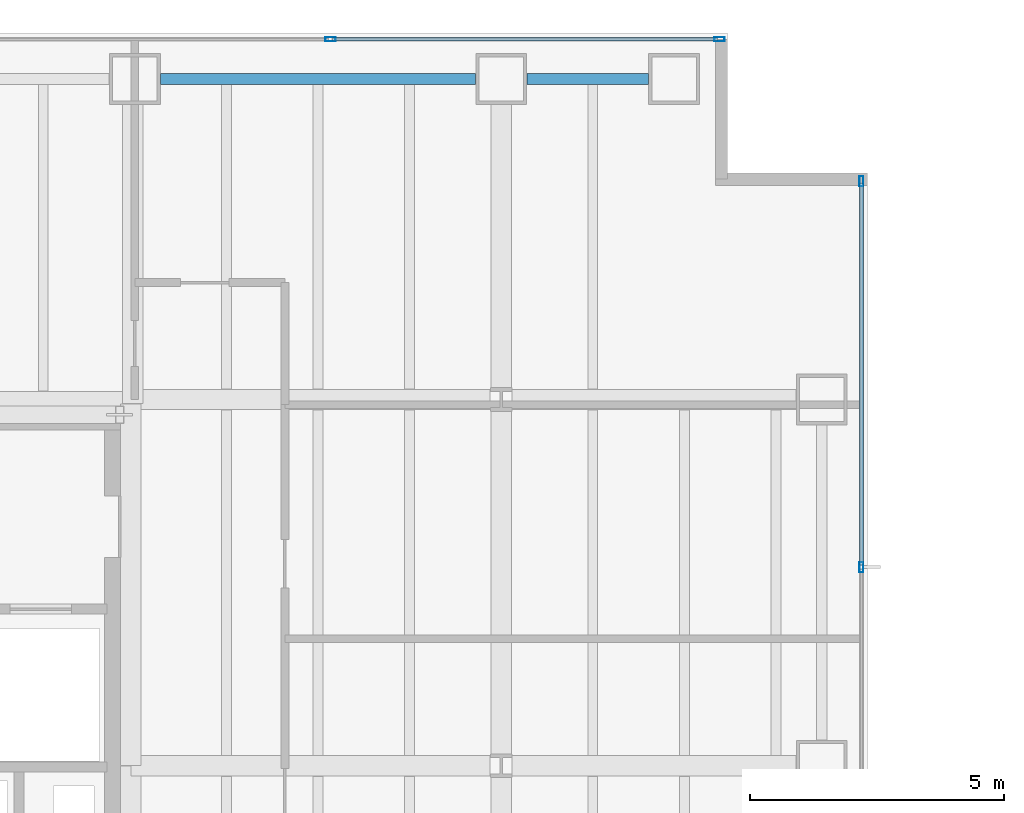
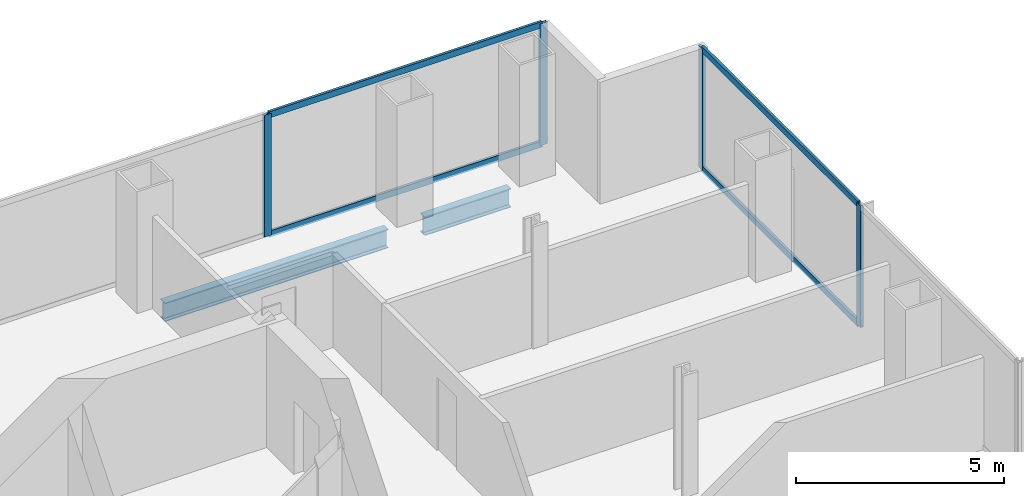
# One storey, part 18 of 24: 8 members, 2 beams, 2 elements without a shape of their own.
"""IFC4 building model written with IfcOpenShell, lengths in metres."""

from ifc_helpers import new_model, si_unit, direction, frame, origin, origin_2d, place, context, subcontext, project, spatial, hollow_rectangle, i_section, extrude, material, material_profile, profile_set, type_object, element, aggregate, save


model = new_model("IFC4")

# Units and contexts
model_context = context("Model", 3, precision=1e-05, world=origin(), true_north=direction((0.0, 1.0)))
body_context = subcontext(model_context, "Body", "Model", "MODEL_VIEW")
ifc_project = project(units=[si_unit("LENGTHUNIT", "METRE"), si_unit("AREAUNIT", "SQUARE_METRE"), si_unit("VOLUMEUNIT", "CUBIC_METRE"), si_unit("PLANEANGLEUNIT", "RADIAN"), si_unit("MASSUNIT", "GRAM", prefix="KILO")], contexts=[model_context])

# Site, building, storey
site_placement = place(None, origin())
site = spatial("IfcSite", under=ifc_project, at=site_placement, CompositionType="ELEMENT")
building_placement = place(site_placement, origin())
building = spatial("IfcBuilding", under=site, at=building_placement, Name="Cobrela Telecom Tower", CompositionType="ELEMENT")
storey_placement = place(building_placement, frame((0.0, 0.0, 69.64990234375)))
storey = spatial("IfcBuildingStorey", under=building, at=storey_placement, Name="L17", CompositionType="ELEMENT", Elevation=69.64990234375)

# Beams
ifc_material_1 = material(Name="Steel ASTM A992 Grade 50", Category="steel")
ifc_material_profile_1 = material_profile(ifc_material_1, i_section(OverallWidth=0.212890625, OverallDepth=0.549072265625, WebThickness=0.0146484375, FlangeThickness=0.023681640625, FilletRadius=0.013916015625, at=origin_2d()), Name="W21X93")
ifc_profile_set_1 = profile_set([ifc_material_profile_1], Name="Steel ASTM A992 Grade 50")
beam_type = type_object("IfcBeamType", Name="BM-SPAND-03", PredefinedType="SPANDREL", material=ifc_profile_set_1)
beam_1_placement = place(storey_placement, frame((14.905029296875, 42.300048828125, -0.554443359375), z_axis=(1.0, 0.0, 0.0), x_axis=(0.0, 1.0, 0.0)))
element("IfcBeam", 1, at=beam_1_placement, inside=storey, type_object=beam_type, Name="L17 Perimeter Spandrel X30", PredefinedType="SPANDREL", context=body_context, shape_type="SweptSolid", body=[
    extrude(i_section(OverallWidth=0.212890625, OverallDepth=0.549072265625, WebThickness=0.0146484375, FlangeThickness=0.023681640625, FilletRadius=0.013916015625, at=origin_2d()), origin(), (0.0, 0.0, 1.0), 6.18994140625),
])
beam_2_placement = place(storey_placement, frame((22.10498046875, 42.300048828125, -0.554443359375), z_axis=(1.0, 0.0, 0.0), x_axis=(0.0, 1.0, 0.0)))
element("IfcBeam", 2, at=beam_2_placement, inside=storey, type_object=beam_type, Name="L17 Perimeter Spandrel X31", PredefinedType="SPANDREL", context=body_context, shape_type="SweptSolid", body=[
    extrude(i_section(OverallWidth=0.212890625, OverallDepth=0.549072265625, WebThickness=0.0146484375, FlangeThickness=0.023681640625, FilletRadius=0.013916015625, at=origin_2d()), origin(), (0.0, 0.0, 1.0), 2.39013671875),
])

# Curtain wall, members
ifc_material_2 = material(Name="Anodized Bronze Aluminium 6063-T6", Category="aluminium")
curtain_wall_type = type_object("IfcCurtainWallType", Name="CW-SYS-DATA", PredefinedType="USERDEFINED", material=ifc_material_2)
curtain_wall_1_placement = place(storey_placement, origin())
curtain_wall_1 = element("IfcCurtainWall", 3, at=curtain_wall_1_placement, inside=storey, type_object=curtain_wall_type, Name="L17 Unitised Bronze Curtain Wall 07", ObjectType="UNITISED CURTAIN WALL", PredefinedType="USERDEFINED")
ifc_material_profile_2 = material_profile(ifc_material_2, hollow_rectangle(XDim=0.080078125, YDim=0.199951171875, WallThickness=0.00390625, at=origin_2d()), Name="ALU 80x200x4")
ifc_profile_set_2 = profile_set([ifc_material_profile_2], Name="Anodized Bronze Aluminium 6063-T6")
member_type_1 = type_object("IfcMemberType", Name="CW-SYS-DATA-MUL", PredefinedType="MULLION", material=ifc_profile_set_2)
member_1_placement = place(storey_placement, frame((18.243408203125, 43.080078125, 0.0), z_axis=(0.0, 0.0, 1.0), x_axis=(0.0, 1.0, 0.0)))
member_1 = element("IfcMember", 4, at=member_1_placement, type_object=member_type_1, Name="CW-DATA mullion 3", PredefinedType="MULLION", context=body_context, shape_type="SweptSolid", body=[
    extrude(hollow_rectangle(XDim=0.080078125, YDim=0.199951171875, WallThickness=0.00390625, at=origin_2d()), origin(), (0.0, 0.0, 1.0), 3.570068359375),
])
member_2_placement = place(storey_placement, frame((25.889892578125, 43.080078125, 0.0), z_axis=(0.0, 0.0, 1.0), x_axis=(0.0, 1.0, 0.0)))
member_2 = element("IfcMember", 5, at=member_2_placement, type_object=member_type_1, Name="CW-DATA mullion 4", PredefinedType="MULLION", context=body_context, shape_type="SweptSolid", body=[
    extrude(hollow_rectangle(XDim=0.080078125, YDim=0.199951171875, WallThickness=0.00390625, at=origin_2d()), origin(), (0.0, 0.0, 1.0), 3.570068359375),
])

curtain_wall_2_placement = place(storey_placement, origin())
curtain_wall_2 = element("IfcCurtainWall", 6, at=curtain_wall_2_placement, inside=storey, type_object=curtain_wall_type, Name="L17 Unitised Bronze Curtain Wall 10", ObjectType="UNITISED CURTAIN WALL", PredefinedType="USERDEFINED")
member_3_placement = place(storey_placement, frame((28.679931640625, 40.2900390625, 0.0), z_axis=(0.0, 0.0, 1.0), x_axis=(1.0, 0.0, 0.0)))
member_3 = element("IfcMember", 7, at=member_3_placement, type_object=member_type_1, Name="CW-DATA mullion 1", PredefinedType="MULLION", context=body_context, shape_type="SweptSolid", body=[
    extrude(hollow_rectangle(XDim=0.080078125, YDim=0.199951171875, WallThickness=0.00390625, at=origin_2d()), origin(), (0.0, 0.0, 1.0), 3.570068359375),
])
member_4_placement = place(storey_placement, frame((28.679931640625, 32.705078125, 0.0), z_axis=(0.0, 0.0, 1.0), x_axis=(1.0, 0.0, 0.0)))
member_4 = element("IfcMember", 8, at=member_4_placement, type_object=member_type_1, Name="CW-DATA mullion 2", PredefinedType="MULLION", context=body_context, shape_type="SweptSolid", body=[
    extrude(hollow_rectangle(XDim=0.080078125, YDim=0.199951171875, WallThickness=0.00390625, at=origin_2d()), origin(), (0.0, 0.0, 1.0), 3.570068359375),
])

# Member
ifc_material_profile_3 = material_profile(ifc_material_2, hollow_rectangle(XDim=0.074951171875, YDim=0.179931640625, WallThickness=0.00390625, at=origin_2d()), Name="ALU 75x180x4")
ifc_profile_set_3 = profile_set([ifc_material_profile_3], Name="Anodized Bronze Aluminium 6063-T6")
member_type_2 = type_object("IfcMemberType", Name="CW-SYS-DATA-TRN", PredefinedType="USERDEFINED", material=ifc_profile_set_3)
member_5_placement = place(storey_placement, frame((18.283447265625, 43.080078125, 0.03759765625), z_axis=(1.0, 0.0, 0.0), x_axis=(0.0, 1.0, 0.0)))
member_5 = element("IfcMember", 9, at=member_5_placement, type_object=member_type_2, Name="CW-DATA transom 3.1", ObjectType="TRANSOM", PredefinedType="USERDEFINED", context=body_context, shape_type="SweptSolid", body=[
    extrude(hollow_rectangle(XDim=0.074951171875, YDim=0.179931640625, WallThickness=0.00390625, at=origin_2d()), origin(), (0.0, 0.0, 1.0), 7.566650390625),
])

member_6_placement = place(storey_placement, frame((18.283447265625, 43.080078125, 3.53271484375), z_axis=(1.0, 0.0, 0.0), x_axis=(0.0, 1.0, 0.0)))
member_6 = element("IfcMember", 10, at=member_6_placement, type_object=member_type_2, Name="CW-DATA transom 3.2", ObjectType="TRANSOM", PredefinedType="USERDEFINED", context=body_context, shape_type="SweptSolid", body=[
    extrude(hollow_rectangle(XDim=0.074951171875, YDim=0.179931640625, WallThickness=0.00390625, at=origin_2d()), origin(), (0.0, 0.0, 1.0), 7.566650390625),
])

aggregate(curtain_wall_1, [member_1, member_2, member_5, member_6])

member_7_placement = place(storey_placement, frame((28.679931640625, 40.25, 0.03759765625), z_axis=(0.0, -1.0, 0.0), x_axis=(1.0, 0.0, 0.0)))
member_7 = element("IfcMember", 11, at=member_7_placement, type_object=member_type_2, Name="CW-DATA transom 1.1", ObjectType="TRANSOM", PredefinedType="USERDEFINED", context=body_context, shape_type="SweptSolid", body=[
    extrude(hollow_rectangle(XDim=0.074951171875, YDim=0.179931640625, WallThickness=0.00390625, at=origin_2d()), origin(), (0.0, 0.0, 1.0), 7.5048828125),
])

member_8_placement = place(storey_placement, frame((28.679931640625, 40.25, 3.53271484375), z_axis=(0.0, -1.0, 0.0), x_axis=(1.0, 0.0, 0.0)))
member_8 = element("IfcMember", 12, at=member_8_placement, type_object=member_type_2, Name="CW-DATA transom 1.2", ObjectType="TRANSOM", PredefinedType="USERDEFINED", context=body_context, shape_type="SweptSolid", body=[
    extrude(hollow_rectangle(XDim=0.074951171875, YDim=0.179931640625, WallThickness=0.00390625, at=origin_2d()), origin(), (0.0, 0.0, 1.0), 7.5048828125),
])

aggregate(curtain_wall_2, [member_3, member_4, member_7, member_8])

save(model, "model.ifc")
